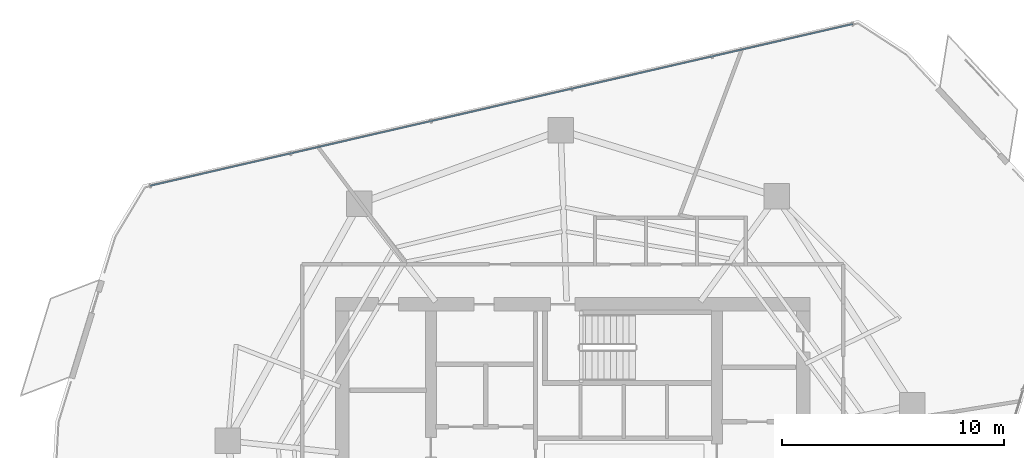
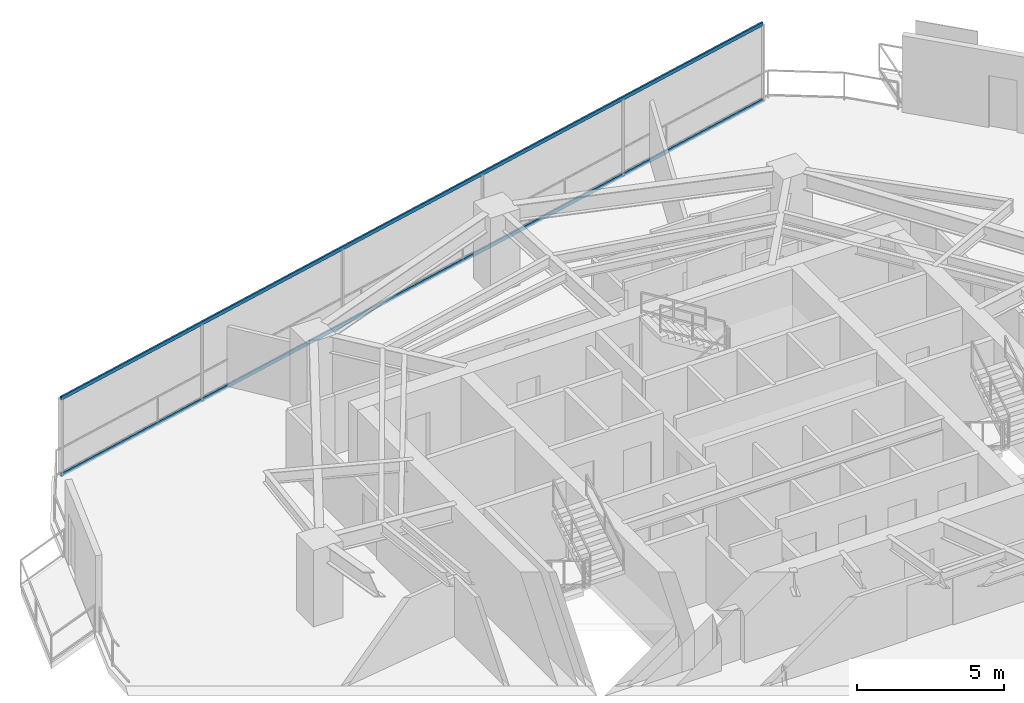
# One storey, part 14 of 23: 2 members, 1 element without a shape of its own.
"""IFC4 building model written with IfcOpenShell, lengths in metres."""

from ifc_helpers import new_model, si_unit, direction, frame, origin, origin_2d, place, context, subcontext, project, spatial, hollow_rectangle, extrude, material, layer, layer_set, material_profile, profile_set, type_object, element, aggregate, save


model = new_model("IFC4")

# Units and contexts
model_context = context("Model", 3, precision=1e-05, world=origin(), true_north=direction((0.0, 1.0)))
body_context = subcontext(model_context, "Body", "Model", "MODEL_VIEW")
ifc_project = project(units=[si_unit("LENGTHUNIT", "METRE"), si_unit("AREAUNIT", "SQUARE_METRE"), si_unit("VOLUMEUNIT", "CUBIC_METRE"), si_unit("PLANEANGLEUNIT", "RADIAN"), si_unit("MASSUNIT", "GRAM", prefix="KILO")], contexts=[model_context])

# Site, building, storey
site_placement = place(None, origin())
site = spatial("IfcSite", under=ifc_project, at=site_placement, CompositionType="ELEMENT")
building_placement = place(site_placement, origin())
building = spatial("IfcBuilding", under=site, at=building_placement, Name="Qarnah Convention Tower", CompositionType="ELEMENT")
storey_placement = place(building_placement, frame((0.0, 0.0, 114.300048828125)))
storey = spatial("IfcBuildingStorey", under=building, at=storey_placement, Name="L30", CompositionType="ELEMENT", Elevation=114.300048828125)

# Curtain wall, members
ifc_material_1 = material(Name="Tempered Low-E dark glass", Category="glass")
ifc_layer = layer(ifc_material_1, 0.169921875)
ifc_layer_set = layer_set([ifc_layer], Name="Tempered Low-E dark glass")
curtain_wall_type = type_object("IfcCurtainWallType", Name="CWS-02", PredefinedType="NOTDEFINED", material=ifc_layer_set)
curtain_wall_placement = place(storey_placement, origin())
curtain_wall = element("IfcCurtainWall", 1, at=curtain_wall_placement, inside=storey, type_object=curtain_wall_type, Name="L30 unitised curtain wall CW-L30-F3", PredefinedType="NOTDEFINED")
ifc_material_2 = material(Name="Black anodised aluminium", Category="aluminium")
ifc_material_profile = material_profile(ifc_material_2, hollow_rectangle(XDim=0.06494140625, YDim=0.14990234375, WallThickness=0.00390625, at=origin_2d()), Name="TRN-65X150")
ifc_profile_set = profile_set([ifc_material_profile], Name="Black anodised aluminium")
member_type = type_object("IfcMemberType", Name="TRN-T2", PredefinedType="USERDEFINED", material=ifc_profile_set)
member_1_placement = place(storey_placement, frame((18.14111328125, 39.5419921875, 0.0), z_axis=(0.974522023604, 0.224291831128, 0.0), x_axis=(-0.224291831128, 0.974522023604, 0.0)))
member_1 = element("IfcMember", 2, at=member_1_placement, type_object=member_type, Name="CW-L30-F3 transom 1", ObjectType="TRANSOM", PredefinedType="USERDEFINED", context=body_context, shape_type="SweptSolid", body=[
    extrude(hollow_rectangle(XDim=0.06494140625, YDim=0.14990234375, WallThickness=0.00390625, at=origin_2d()), origin(), (0.0, 0.0, 1.0), 32.51123046875),
])
member_2_placement = place(storey_placement, frame((18.14111328125, 39.5419921875, 3.169921875), z_axis=(0.974522023604, 0.224291831128, 0.0), x_axis=(-0.224291831128, 0.974522023604, 0.0)))
member_2 = element("IfcMember", 3, at=member_2_placement, type_object=member_type, Name="CW-L30-F3 transom 2", ObjectType="TRANSOM", PredefinedType="USERDEFINED", context=body_context, shape_type="SweptSolid", body=[
    extrude(hollow_rectangle(XDim=0.06494140625, YDim=0.14990234375, WallThickness=0.00390625, at=origin_2d()), origin(), (0.0, 0.0, 1.0), 32.51123046875),
])
aggregate(curtain_wall, [member_1, member_2])

save(model, "model.ifc")
